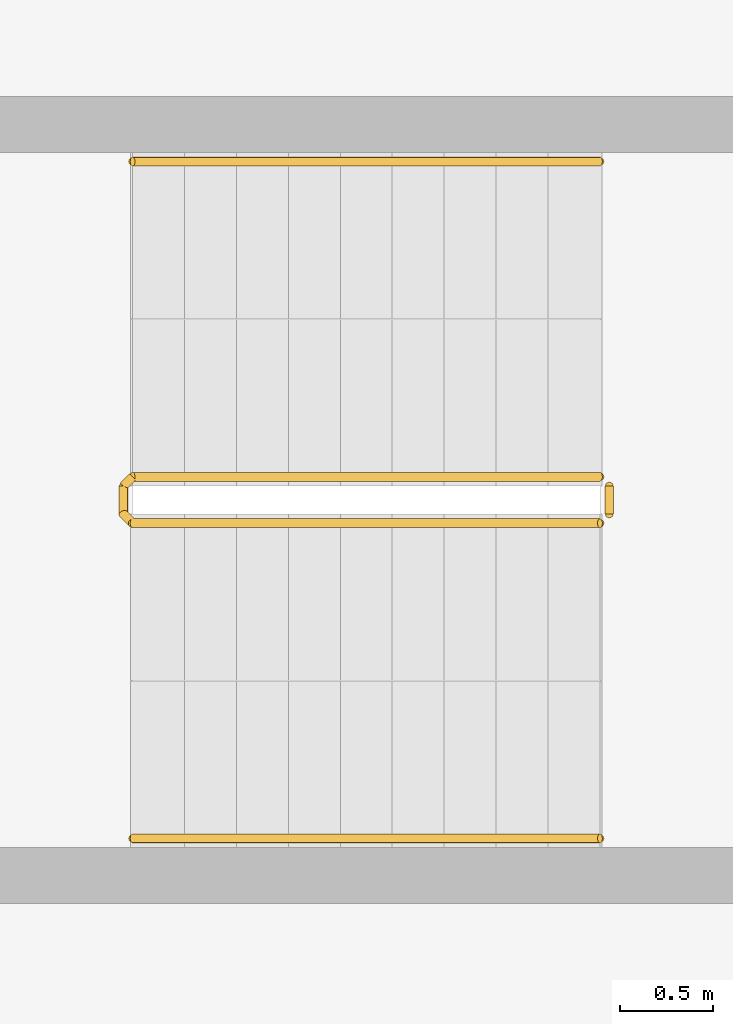
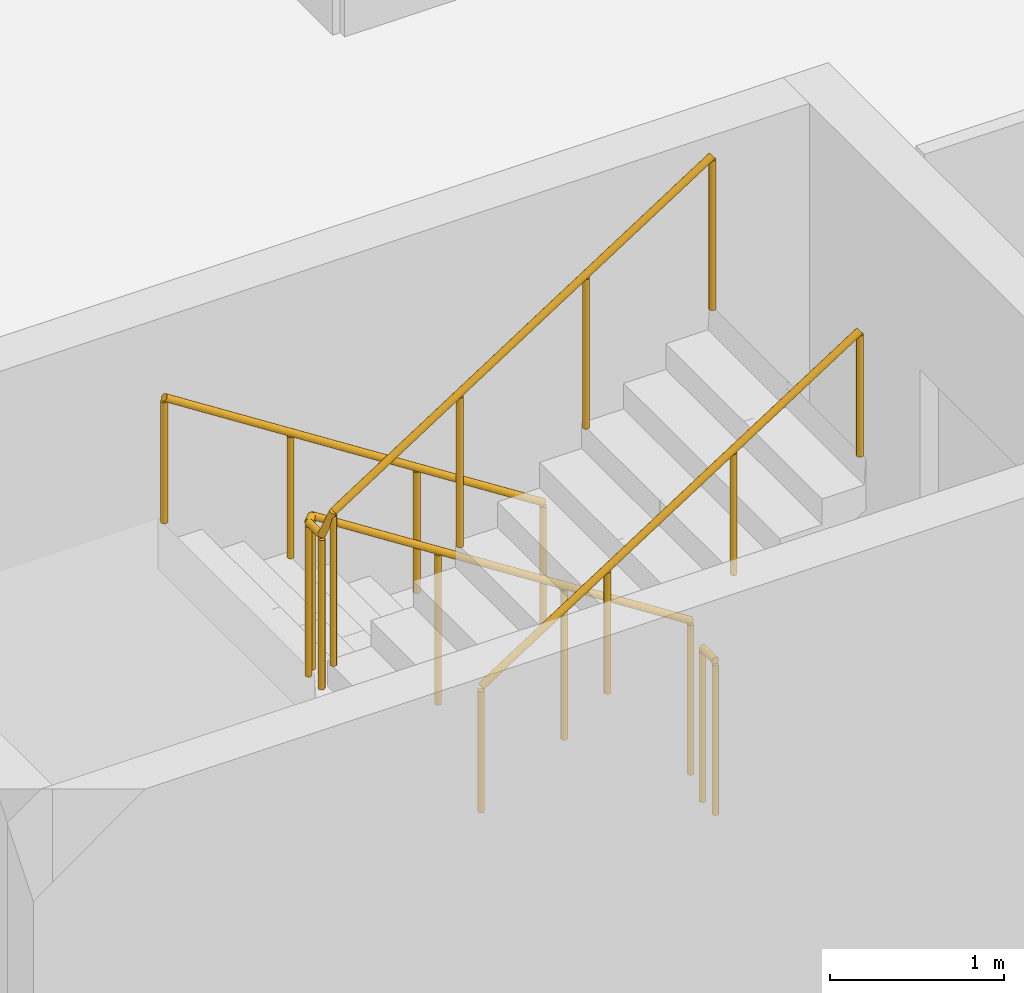
# One storey, part 27 of 30: 4 railings.
"""IFC4 building model written with IfcOpenShell, lengths in metres."""

from ifc_helpers import new_model, si_unit, direction, frame, origin, origin_2d, place, context, subcontext, project, spatial, circle, extrude, material, type_object, element, save


model = new_model("IFC4")

# Units and contexts
model_context = context("Model", 3, precision=1e-05, world=origin(), true_north=direction((0.0, 1.0)))
body_context = subcontext(model_context, "Body", "Model", "MODEL_VIEW")
ifc_project = project(units=[si_unit("LENGTHUNIT", "METRE"), si_unit("AREAUNIT", "SQUARE_METRE"), si_unit("VOLUMEUNIT", "CUBIC_METRE"), si_unit("PLANEANGLEUNIT", "RADIAN"), si_unit("MASSUNIT", "GRAM", prefix="KILO")], contexts=[model_context])

# Site, building, storey
site_placement = place(None, origin())
site = spatial("IfcSite", under=ifc_project, at=site_placement, CompositionType="ELEMENT")
building_placement = place(site_placement, origin())
building = spatial("IfcBuilding", under=site, at=building_placement, Name="Wharfspan Tower", CompositionType="ELEMENT")
storey_placement = place(building_placement, frame((0.0, 0.0, 100.300049)))
storey = spatial("IfcBuildingStorey", under=building, at=storey_placement, Name="L22", CompositionType="ELEMENT", Elevation=100.300049)

# Railings
ifc_material = material(Name="Steel S355J2", Category="steel")
railing_type_1 = type_object("IfcRailingType", Name="Stair guard 1100", PredefinedType="GUARDRAIL", material=ifc_material)
railing_1_placement = place(storey_placement, frame((13.899902, 22.824951, 0.179932)))
element("IfcRailing", 1, at=railing_1_placement, inside=storey, type_object=railing_type_1, Name="L22 ST3 stair guard 1", PredefinedType="GUARDRAIL", context=body_context, shape_type="SweptSolid", body=[
    extrude(circle(Radius=0.023926, at=origin_2d()), frame((0.0, 0.0, 1.076172), z_axis=(-0.841163, 0.0, 0.540782), x_axis=(0.0, -1.0, 0.0)), (0.0, 0.0, 1.0), 2.99585),
    extrude(circle(Radius=0.023926, at=origin_2d()), frame((-2.52002, 0.0, 2.696289), z_axis=(-0.705376, -0.708834, 0.0), x_axis=(0.708834, -0.705376, 0.0)), (0.0, 0.0, 1.0), 0.070557),
    extrude(circle(Radius=0.023926, at=origin_2d()), frame((-2.569824, -0.050049, 2.696289), z_axis=(0.0, -1.0, 0.0), x_axis=(1.0, 0.0, 0.0)), (0.0, 0.0, 1.0), 0.149902),
    extrude(circle(Radius=0.023926, at=origin_2d()), frame((-2.569824, -0.199951, 2.696289), z_axis=(0.257669, -0.258932, 0.930892), x_axis=(0.708833, 0.705372, -1e-06)), (0.0, 0.0, 1.0), 0.193359),
    extrude(circle(Radius=0.023926, at=origin_2d()), frame((-2.52002, -0.25, 2.875977), z_axis=(0.8412, 0.0, 0.540725), x_axis=(0.0, 1.0, 0.0)), (0.0, 0.0, 1.0), 2.99585),
    extrude(circle(Radius=0.020996, at=origin_2d()), origin(), (0.0, 0.0, 1.0), 1.052002),
    extrude(circle(Radius=0.020996, at=origin_2d()), frame((-0.840088, 0.0, 0.540039)), (0.0, 0.0, 1.0), 1.052002),
    extrude(circle(Radius=0.020996, at=origin_2d()), frame((-1.679932, 0.0, 1.080078)), (0.0, 0.0, 1.0), 1.052002),
    extrude(circle(Radius=0.020996, at=origin_2d()), frame((-2.52002, 0.0, 1.620117)), (0.0, 0.0, 1.0), 1.052002),
    extrude(circle(Radius=0.020996, at=origin_2d()), frame((-2.569824, -0.050049, 1.620117)), (0.0, 0.0, 1.0), 1.052002),
    extrude(circle(Radius=0.020996, at=origin_2d()), frame((-2.569824, -0.199951, 1.620117)), (0.0, 0.0, 1.0), 1.052002),
    extrude(circle(Radius=0.020996, at=origin_2d()), frame((-2.52002, -0.25, 1.800049)), (0.0, 0.0, 1.0), 1.052002),
    extrude(circle(Radius=0.020996, at=origin_2d()), frame((-1.679932, -0.25, 2.340088)), (0.0, 0.0, 1.0), 1.052002),
    extrude(circle(Radius=0.020996, at=origin_2d()), frame((-0.840088, -0.25, 2.879883)), (0.0, 0.0, 1.0), 1.052002),
    extrude(circle(Radius=0.020996, at=origin_2d()), frame((0.0, -0.25, 3.419922)), (0.0, 0.0, 1.0), 1.052002),
])
railing_2_placement = place(storey_placement, frame((13.949951, 22.774902, 0.0)))
element("IfcRailing", 2, at=railing_2_placement, inside=storey, type_object=railing_type_1, Name="L22 ST3 stair guard 2", PredefinedType="GUARDRAIL", context=body_context, shape_type="SweptSolid", body=[
    extrude(circle(Radius=0.023926, at=origin_2d()), frame((0.0, 0.0, 1.076172), z_axis=(0.0, -1.0, 0.0), x_axis=(1.0, 0.0, 0.0)), (0.0, 0.0, 1.0), 0.149902),
    extrude(circle(Radius=0.020996, at=origin_2d()), origin(), (0.0, 0.0, 1.0), 1.052002),
    extrude(circle(Radius=0.020996, at=origin_2d()), frame((0.0, -0.149902, 0.0)), (0.0, 0.0, 1.0), 1.052002),
])
railing_type_2 = type_object("IfcRailingType", Name="Stair handrail 900", PredefinedType="HANDRAIL", material=ifc_material)
railing_3_placement = place(storey_placement, frame((13.899902, 24.524902, 0.179932)))
element("IfcRailing", 3, at=railing_3_placement, inside=storey, type_object=railing_type_2, Name="L22 ST3 stair handrail 1", PredefinedType="HANDRAIL", context=body_context, shape_type="SweptSolid", body=[
    extrude(circle(Radius=0.023926, at=origin_2d()), frame((0.0, 0.0, 0.875977), z_axis=(-0.841163, 0.0, 0.540782), x_axis=(0.0, -1.0, 0.0)), (0.0, 0.0, 1.0), 2.99585),
    extrude(circle(Radius=0.020996, at=origin_2d()), origin(), (0.0, 0.0, 1.0), 0.851807),
    extrude(circle(Radius=0.020996, at=origin_2d()), frame((-0.840088, 0.0, 0.540039)), (0.0, 0.0, 1.0), 0.851807),
    extrude(circle(Radius=0.020996, at=origin_2d()), frame((-1.679932, 0.0, 1.080078)), (0.0, 0.0, 1.0), 0.851807),
    extrude(circle(Radius=0.020996, at=origin_2d()), frame((-2.52002, 0.0, 1.620117)), (0.0, 0.0, 1.0), 0.851807),
])
railing_4_placement = place(storey_placement, frame((11.379883, 20.875, 1.97998)))
element("IfcRailing", 4, at=railing_4_placement, inside=storey, type_object=railing_type_2, Name="L22 ST3 stair handrail 2", PredefinedType="HANDRAIL", context=body_context, shape_type="SweptSolid", body=[
    extrude(circle(Radius=0.023926, at=origin_2d()), frame((0.0, 0.0, 0.875977), z_axis=(0.8412, 0.0, 0.540725), x_axis=(0.0, 1.0, 0.0)), (0.0, 0.0, 1.0), 2.99585),
    extrude(circle(Radius=0.020996, at=origin_2d()), origin(), (0.0, 0.0, 1.0), 0.851807),
    extrude(circle(Radius=0.020996, at=origin_2d()), frame((0.840088, 0.0, 0.540039)), (0.0, 0.0, 1.0), 0.851807),
    extrude(circle(Radius=0.020996, at=origin_2d()), frame((1.679932, 0.0, 1.079834)), (0.0, 0.0, 1.0), 0.851807),
    extrude(circle(Radius=0.020996, at=origin_2d()), frame((2.52002, 0.0, 1.619873)), (0.0, 0.0, 1.0), 0.851807),
])

save(model, "model.ifc")
